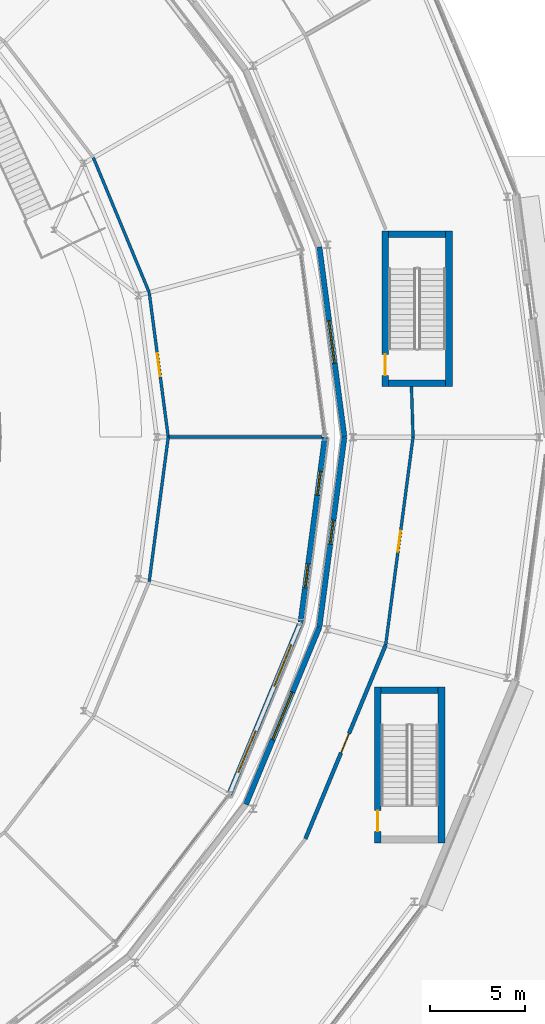
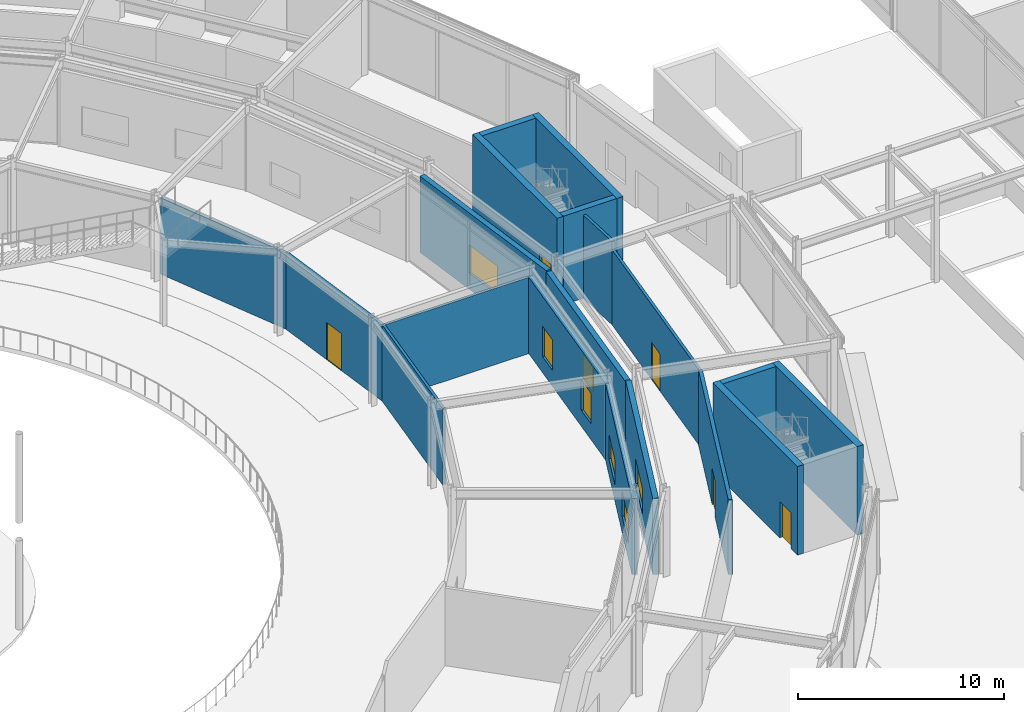
# One storey, part 121 of 168: 19 walls, 7 windows, 5 doors, 12 openings.
"""IFC4 building model written with IfcOpenShell, lengths in metres."""

from ifc_helpers import new_model, si_unit, direction, frame, frame_2d, origin, place, context, subcontext, project, spatial, rectangle, extrude, material, layer, layer_set, type_object, element, fill, save


model = new_model("IFC4")

# Units and contexts
model_context = context("Model", 3, precision=1e-05, world=origin(), true_north=direction((0.0, 1.0)))
body_context = subcontext(model_context, "Body", "Model", "MODEL_VIEW")
ifc_project = project(units=[si_unit("LENGTHUNIT", "METRE"), si_unit("AREAUNIT", "SQUARE_METRE"), si_unit("VOLUMEUNIT", "CUBIC_METRE"), si_unit("PLANEANGLEUNIT", "RADIAN"), si_unit("MASSUNIT", "GRAM", prefix="KILO")], contexts=[model_context])

# Site, building, storey
site_placement = place(None, origin())
site = spatial("IfcSite", under=ifc_project, at=site_placement, CompositionType="ELEMENT")
building_placement = place(site_placement, origin())
building = spatial("IfcBuilding", under=site, at=building_placement, Name="Almandine Court Research Institute", CompositionType="ELEMENT")
storey_placement = place(building_placement, origin())
storey = spatial("IfcBuildingStorey", under=building, at=storey_placement, Name="L00", CompositionType="ELEMENT", Elevation=0.0)

# Wall, opening, window
ifc_material_1 = material(Name="Insulated Ochre Terracotta Rainscreen Wall", Category="masonry")
ifc_layer_1 = layer(ifc_material_1, 0.2900390625)
ifc_layer_set_1 = layer_set([ifc_layer_1], Name="Insulated Ochre Terracotta Rainscreen Wall")
wall_type_1 = type_object("IfcWallType", Name="Wall-EXT-TERR-290", PredefinedType="SOLIDWALL", material=ifc_layer_set_1)
wall_1_placement = place(storey_placement, frame((120.48291015625, 36.675048828125, 0.0), z_axis=(0.0, 0.0, 1.0), x_axis=(0.382733240508, 0.92385889973, 0.0)))
wall_1 = element("IfcWall", 1, at=wall_1_placement, inside=storey, type_object=wall_type_1, Name="L00 Drum Inner Gallery Wall 22", PredefinedType="SOLIDWALL", context=body_context, shape_type="SweptSolid", body=[
    extrude(rectangle(XDim=10.08056640625, YDim=0.2900390625, at=frame_2d((5.040283203125, 0.0))), origin(), (0.0, 0.0, 1.0), 4.51611328125),
])
opening_1_placement = place(wall_1_placement, frame((3.68994140625, 0.0, 0.949951171875)))
opening_1 = element("IfcOpeningElement", 2, at=opening_1_placement, cuts=wall_1, Name="Opening WN-95", PredefinedType="OPENING", context=body_context, shape_type="SweptSolid", body=[
    extrude(rectangle(XDim=2.699951171875, YDim=1.510009765625, at=frame_2d((1.35009765625, 0.7548828125))), frame((0.0, 0.155029296875, 0.0), z_axis=(0.0, -1.0, 0.0), x_axis=(1.0, 0.0, 0.0)), (0.0, 0.0, 1.0), 0.31005859375),
])
ifc_material_2 = material(Name="Thermally Broken Low-E Double-Glazed Window", Category="glass")
window_type_1 = type_object("IfcWindowType", Name="Win-WN-95-2700x1510", PartitioningType="SINGLE_PANEL", PredefinedType="WINDOW", material=ifc_material_2)
window_1_placement = place(opening_1_placement, origin())
window_1 = element("IfcWindow", 3, at=window_1_placement, inside=storey, type_object=window_type_1, Name="L00 Modular Recessed Low-E Window 207", OverallHeight=1.510009765625, OverallWidth=2.699951171875, PartitioningType="SINGLE_PANEL", PredefinedType="WINDOW", context=body_context, shape_type="SweptSolid", body=[
    extrude(rectangle(XDim=2.699951171875, YDim=1.510009765625, at=frame_2d((1.35009765625, 0.7548828125))), frame((0.0, 0.030029296875, 0.0), z_axis=(0.0, -1.0, 0.0), x_axis=(1.0, 0.0, 0.0)), (0.0, 0.0, 1.0), 0.06005859375),
])
fill(opening_1, window_1)

wall_2_placement = place(storey_placement, frame((124.343994140625, 46.0, 0.0), z_axis=(0.0, 0.0, 1.0), x_axis=(0.130450126879, 0.991454872597, 0.0)))
wall_2 = element("IfcWall", 4, at=wall_2_placement, inside=storey, type_object=wall_type_1, Name="L00 Drum Inner Gallery Wall 23", PredefinedType="SOLIDWALL", context=body_context, shape_type="SweptSolid", body=[
    extrude(rectangle(XDim=10.080078125, YDim=0.2900390625, at=frame_2d((5.0400390625, 0.0))), origin(), (0.0, 0.0, 1.0), 4.43310546875),
])
opening_2_placement = place(wall_2_placement, frame((4.405029296875, 0.0, 0.949951171875)))
opening_2 = element("IfcOpeningElement", 5, at=opening_2_placement, cuts=wall_2, Name="Opening WN-96", PredefinedType="OPENING", context=body_context, shape_type="SweptSolid", body=[
    extrude(rectangle(XDim=1.27001953125, YDim=1.429931640625, at=frame_2d((0.635009765625, 0.71484375))), frame((0.0, 0.155029296875, 0.0), z_axis=(0.0, -1.0, 0.0), x_axis=(1.0, 0.0, 0.0)), (0.0, 0.0, 1.0), 0.31005859375),
])
window_type_2 = type_object("IfcWindowType", Name="Win-WN-96-1270x1430", PartitioningType="SINGLE_PANEL", PredefinedType="WINDOW", material=ifc_material_2)
window_2_placement = place(opening_2_placement, origin())
window_2 = element("IfcWindow", 6, at=window_2_placement, inside=storey, type_object=window_type_2, Name="L00 Modular Recessed Low-E Window 208", OverallHeight=1.429931640625, OverallWidth=1.27001953125, PartitioningType="SINGLE_PANEL", PredefinedType="WINDOW", context=body_context, shape_type="SweptSolid", body=[
    extrude(rectangle(XDim=1.27001953125, YDim=1.429931640625, at=frame_2d((0.635009765625, 0.71484375))), frame((0.0, 0.030029296875, 0.0), z_axis=(0.0, -1.0, 0.0), x_axis=(1.0, 0.0, 0.0)), (0.0, 0.0, 1.0), 0.06005859375),
])
fill(opening_2, window_2)

wall_3_placement = place(storey_placement, frame((125.658935546875, 56.006103515625, 0.0), z_axis=(0.0, 0.0, 1.0), x_axis=(-0.130450126879, 0.991454872597, 0.0)))
wall_3 = element("IfcWall", 7, at=wall_3_placement, inside=storey, type_object=wall_type_1, Name="L00 Drum Inner Gallery Wall 00", PredefinedType="SOLIDWALL", context=body_context, shape_type="SweptSolid", body=[
    extrude(rectangle(XDim=10.080078125, YDim=0.2900390625, at=frame_2d((5.0400390625, 0.0))), origin(), (0.0, 0.0, 1.0), 4.511962890625),
])
opening_3_placement = place(wall_3_placement, frame((3.909912109375, 0.0, 0.949951171875)))
opening_3 = element("IfcOpeningElement", 8, at=opening_3_placement, cuts=wall_3, Name="Opening WN-98", PredefinedType="OPENING", context=body_context, shape_type="SweptSolid", body=[
    extrude(rectangle(XDim=2.260009765625, YDim=1.669921875, at=frame_2d((1.1298828125, 0.8349609375))), frame((0.0, 0.155029296875, 0.0), z_axis=(0.0, -1.0, 0.0), x_axis=(1.0, 0.0, 0.0)), (0.0, 0.0, 1.0), 0.31005859375),
])
window_type_3 = type_object("IfcWindowType", Name="Win-WN-98-2260x1670", PartitioningType="SINGLE_PANEL", PredefinedType="WINDOW", material=ifc_material_2)
window_3_placement = place(opening_3_placement, origin())
window_3 = element("IfcWindow", 9, at=window_3_placement, inside=storey, type_object=window_type_3, Name="L00 Modular Recessed Low-E Window 211", OverallHeight=1.669921875, OverallWidth=2.260009765625, PartitioningType="SINGLE_PANEL", PredefinedType="WINDOW", context=body_context, shape_type="SweptSolid", body=[
    extrude(rectangle(XDim=2.260009765625, YDim=1.669921875, at=frame_2d((1.1298828125, 0.8349609375))), frame((0.0, 0.030029296875, 0.0), z_axis=(0.0, -1.0, 0.0), x_axis=(1.0, 0.0, 0.0)), (0.0, 0.0, 1.0), 0.06005859375),
])
fill(opening_3, window_3)

# Wall, openings, windows
wall_4_placement = place(storey_placement, frame((123.365966796875, 46.251953125, 0.0), z_axis=(0.0, 0.0, 1.0), x_axis=(-0.382759423628, -0.923848052238, 0.0)))
wall_4 = element("IfcWall", 10, at=wall_4_placement, inside=storey, type_object=wall_type_1, Name="L00 Interaction Atrium Perimeter Wall 22", PredefinedType="SOLIDWALL", context=body_context, shape_type="SweptSolid", body=[
    extrude(rectangle(XDim=9.82080078125, YDim=0.2900390625, at=frame_2d((4.910400390625, 0.0))), origin(), (0.0, 0.0, 1.0), 4.511962890625),
])
opening_4_placement = place(wall_4_placement, frame((1.27001953125, 0.0, 0.949951171875)))
opening_4 = element("IfcOpeningElement", 11, at=opening_4_placement, cuts=wall_4, Name="Opening WN-61", PredefinedType="OPENING", context=body_context, shape_type="SweptSolid", body=[
    extrude(rectangle(XDim=2.3701171875, YDim=1.47998046875, at=frame_2d((1.18505859375, 0.739990234375))), frame((0.0, 0.155029296875, 0.0), z_axis=(0.0, -1.0, 0.0), x_axis=(1.0, 0.0, 0.0)), (0.0, 0.0, 1.0), 0.31005859375),
])
opening_5_placement = place(wall_4_placement, frame((6.180908203125, 0.0, 0.949951171875)))
opening_5 = element("IfcOpeningElement", 12, at=opening_5_placement, cuts=wall_4, Name="Opening WN-61", PredefinedType="OPENING", context=body_context, shape_type="SweptSolid", body=[
    extrude(rectangle(XDim=2.3701171875, YDim=1.47998046875, at=frame_2d((1.18505859375, 0.739990234375))), frame((0.0, 0.155029296875, 0.0), z_axis=(0.0, -1.0, 0.0), x_axis=(1.0, 0.0, 0.0)), (0.0, 0.0, 1.0), 0.31005859375),
])
window_type_4 = type_object("IfcWindowType", Name="Win-WN-61-2370x1480", PartitioningType="SINGLE_PANEL", PredefinedType="WINDOW", material=ifc_material_2)
window_4_placement = place(opening_4_placement, origin())
window_4 = element("IfcWindow", 13, at=window_4_placement, inside=storey, type_object=window_type_4, Name="L00 Modular Recessed Low-E Window 334", OverallHeight=1.47998046875, OverallWidth=2.3701171875, PartitioningType="SINGLE_PANEL", PredefinedType="WINDOW", context=body_context, shape_type="SweptSolid", body=[
    extrude(rectangle(XDim=2.3701171875, YDim=1.47998046875, at=frame_2d((1.18505859375, 0.739990234375))), frame((0.0, 0.030029296875, 0.0), z_axis=(0.0, -1.0, 0.0), x_axis=(1.0, 0.0, 0.0)), (0.0, 0.0, 1.0), 0.06005859375),
])
fill(opening_4, window_4)
window_5_placement = place(opening_5_placement, origin())
window_5 = element("IfcWindow", 14, at=window_5_placement, inside=storey, type_object=window_type_4, Name="L00 Modular Recessed Low-E Window 335", OverallHeight=1.47998046875, OverallWidth=2.3701171875, PartitioningType="SINGLE_PANEL", PredefinedType="WINDOW", context=body_context, shape_type="SweptSolid", body=[
    extrude(rectangle(XDim=2.3701171875, YDim=1.47998046875, at=frame_2d((1.18505859375, 0.739990234375))), frame((0.0, 0.030029296875, 0.0), z_axis=(0.0, -1.0, 0.0), x_axis=(1.0, 0.0, 0.0)), (0.0, 0.0, 1.0), 0.06005859375),
])
fill(opening_5, window_5)

wall_5_placement = place(storey_placement, frame((124.64892578125, 55.99609375, 0.0), z_axis=(0.0, 0.0, 1.0), x_axis=(-0.130435863969, -0.991456749128, 0.0)))
wall_5 = element("IfcWall", 15, at=wall_5_placement, inside=storey, type_object=wall_type_1, Name="L00 Interaction Atrium Perimeter Wall 23", PredefinedType="SOLIDWALL", context=body_context, shape_type="SweptSolid", body=[
    extrude(rectangle(XDim=9.821044921875, YDim=0.2900390625, at=frame_2d((4.91064453125, 0.0))), origin(), (0.0, 0.0, 1.0), 4.511962890625),
])
opening_6_placement = place(wall_5_placement, frame((1.820068359375, 0.0, 0.949951171875)))
opening_6 = element("IfcOpeningElement", 16, at=opening_6_placement, cuts=wall_5, Name="Opening WN-20", PredefinedType="OPENING", context=body_context, shape_type="SweptSolid", body=[
    extrude(rectangle(XDim=1.27001953125, YDim=1.800048828125, at=frame_2d((0.635009765625, 0.89990234375))), frame((0.0, 0.155029296875, 0.0), z_axis=(0.0, -1.0, 0.0), x_axis=(1.0, 0.0, 0.0)), (0.0, 0.0, 1.0), 0.31005859375),
])
opening_7_placement = place(wall_5_placement, frame((6.73095703125, 0.0, 0.949951171875)))
opening_7 = element("IfcOpeningElement", 17, at=opening_7_placement, cuts=wall_5, Name="Opening WN-20", PredefinedType="OPENING", context=body_context, shape_type="SweptSolid", body=[
    extrude(rectangle(XDim=1.27001953125, YDim=1.800048828125, at=frame_2d((0.635009765625, 0.89990234375))), frame((0.0, 0.155029296875, 0.0), z_axis=(0.0, -1.0, 0.0), x_axis=(1.0, 0.0, 0.0)), (0.0, 0.0, 1.0), 0.31005859375),
])
window_type_5 = type_object("IfcWindowType", Name="Win-WN-20-1270x1800", PartitioningType="SINGLE_PANEL", PredefinedType="WINDOW", material=ifc_material_2)
window_6_placement = place(opening_6_placement, origin())
window_6 = element("IfcWindow", 18, at=window_6_placement, inside=storey, type_object=window_type_5, Name="L00 Modular Recessed Low-E Window 336", OverallHeight=1.800048828125, OverallWidth=1.27001953125, PartitioningType="SINGLE_PANEL", PredefinedType="WINDOW", context=body_context, shape_type="SweptSolid", body=[
    extrude(rectangle(XDim=1.27001953125, YDim=1.800048828125, at=frame_2d((0.635009765625, 0.89990234375))), frame((0.0, 0.030029296875, 0.0), z_axis=(0.0, -1.0, 0.0), x_axis=(1.0, 0.0, 0.0)), (0.0, 0.0, 1.0), 0.06005859375),
])
fill(opening_6, window_6)
window_7_placement = place(opening_7_placement, origin())
window_7 = element("IfcWindow", 19, at=window_7_placement, inside=storey, type_object=window_type_5, Name="L00 Modular Recessed Low-E Window 337", OverallHeight=1.800048828125, OverallWidth=1.27001953125, PartitioningType="SINGLE_PANEL", PredefinedType="WINDOW", context=body_context, shape_type="SweptSolid", body=[
    extrude(rectangle(XDim=1.27001953125, YDim=1.800048828125, at=frame_2d((0.635009765625, 0.89990234375))), frame((0.0, 0.030029296875, 0.0), z_axis=(0.0, -1.0, 0.0), x_axis=(1.0, 0.0, 0.0)), (0.0, 0.0, 1.0), 0.06005859375),
])
fill(opening_7, window_7)

# Wall, opening, door
ifc_material_3 = material(Name="Two-Hour Fire-Barrier Enclosure Wall")
ifc_layer_2 = layer(ifc_material_3, 0.199951171875)
ifc_layer_set_2 = layer_set([ifc_layer_2], Name="Two-Hour Fire-Barrier Enclosure Wall")
wall_type_2 = type_object("IfcWallType", Name="Wall-FIRE-200", PredefinedType="SOLIDWALL", material=ifc_layer_set_2)
wall_6_placement = place(storey_placement, frame((123.615966796875, 34.860107421875, 0.0), z_axis=(0.0, 0.0, 1.0), x_axis=(0.382644845446, 0.923895514793, 0.0)))
wall_6 = element("IfcWall", 20, at=wall_6_placement, inside=storey, type_object=wall_type_2, Name="L00 Interior Partition W-V5-L00-CHD-22", PredefinedType="SOLIDWALL", context=body_context, shape_type="SweptSolid", body=[
    extrude(rectangle(XDim=11.03662109375, YDim=0.199951171875, at=frame_2d((5.518310546875, 0.0))), origin(), (0.0, 0.0, 1.0), 4.43798828125),
])
opening_8_placement = place(wall_6_placement, frame((4.89990234375, 0.0, 0.0)))
opening_8 = element("IfcOpeningElement", 21, at=opening_8_placement, cuts=wall_6, Name="Opening FD-FFL", PredefinedType="OPENING", context=body_context, shape_type="SweptSolid", body=[
    extrude(rectangle(XDim=1.10009765625, YDim=2.14990234375, at=frame_2d((0.550048828125, 1.074951171875))), frame((0.0, 0.10986328125, 0.0), z_axis=(0.0, -1.0, 0.0), x_axis=(1.0, 0.0, 0.0)), (0.0, 0.0, 1.0), 0.219970703125),
])
ifc_material_4 = material(Name="Smoke-Tight Firefighting Lobby Fire Door")
door_type_1 = type_object("IfcDoorType", Name="Door-FD-FFL-1100", OperationType="NOTDEFINED", PredefinedType="DOOR", material=ifc_material_4)
door_1_placement = place(opening_8_placement, origin())
door_1 = element("IfcDoor", 22, at=door_1_placement, inside=storey, type_object=door_type_1, Name="L00 ST-16 Protected Exit Lobby Fire Door", OperationType="SINGLE_SWING_RIGHT", OverallHeight=2.14990234375, OverallWidth=1.10009765625, PredefinedType="DOOR", context=body_context, shape_type="SweptSolid", body=[
    extrude(rectangle(XDim=1.10009765625, YDim=2.14990234375, at=frame_2d((0.550048828125, 1.074951171875))), frame((0.0, 0.02490234375, 0.0), z_axis=(0.0, -1.0, 0.0), x_axis=(1.0, 0.0, 0.0)), (0.0, 0.0, 1.0), 0.050048828125),
])
fill(opening_8, door_1)

ifc_material_5 = material(Name="Acoustic Steel-Stud Gypsum Partition Wall", Category="steel")
ifc_layer_3 = layer(ifc_material_5, 0.14990234375)
ifc_layer_set_3 = layer_set([ifc_layer_3], Name="Acoustic Steel-Stud Gypsum Partition Wall")
wall_type_3 = type_object("IfcWallType", Name="Wall-PART-150", PredefinedType="PARTITIONING", material=ifc_layer_set_3)
wall_7_placement = place(storey_placement, frame((127.839111328125, 45.056884765625, 0.0), z_axis=(0.0, 0.0, 1.0), x_axis=(0.130546632054, 0.991442170204, 0.0)))
wall_7 = element("IfcWall", 23, at=wall_7_placement, inside=storey, type_object=wall_type_3, Name="L00 Interior Partition W-V5-L00-CHD-23", PredefinedType="PARTITIONING", context=body_context, shape_type="SweptSolid", body=[
    extrude(rectangle(XDim=11.03759765625, YDim=0.14990234375, at=frame_2d((5.518798828125, 0.0))), origin(), (0.0, 0.0, 1.0), 4.43798828125),
])
opening_9_placement = place(wall_7_placement, frame((4.949951171875, 0.0, 0.0)))
opening_9 = element("IfcOpeningElement", 24, at=opening_9_placement, cuts=wall_7, Name="Opening D-03", PredefinedType="OPENING", context=body_context, shape_type="SweptSolid", body=[
    extrude(rectangle(XDim=1.10009765625, YDim=2.199951171875, at=frame_2d((0.550048828125, 1.10009765625))), frame((0.0, 0.0849609375, 0.0), z_axis=(0.0, -1.0, 0.0), x_axis=(1.0, 0.0, 0.0)), (0.0, 0.0, 1.0), 0.169921875),
])
ifc_material_6 = material(Name="Acoustic Vision-Panel Seminar Door")
door_type_2 = type_object("IfcDoorType", Name="Door-INT-1100", OperationType="NOTDEFINED", PredefinedType="DOOR", material=ifc_material_6)
door_2_placement = place(opening_9_placement, origin())
door_2 = element("IfcDoor", 25, at=door_2_placement, inside=storey, type_object=door_type_2, Name="L00 Drum Calibration Suite Door", OperationType="SINGLE_SWING_LEFT", OverallHeight=2.199951171875, OverallWidth=1.10009765625, PredefinedType="DOOR", context=body_context, shape_type="SweptSolid", body=[
    extrude(rectangle(XDim=1.10009765625, YDim=2.199951171875, at=frame_2d((0.550048828125, 1.10009765625))), frame((0.0, 0.02490234375, 0.0), z_axis=(0.0, -1.0, 0.0), x_axis=(1.0, 0.0, 0.0)), (0.0, 0.0, 1.0), 0.050048828125),
])
fill(opening_9, door_2)

# Wall
wall_8_placement = place(storey_placement, frame((129.280029296875, 56.0, 0.0), z_axis=(0.0, 0.0, 1.0), x_axis=(-0.031249099163, 0.999511627647, 0.0)))
element("IfcWall", 26, at=wall_8_placement, inside=storey, type_object=wall_type_3, Name="L00 Interior Partition W-V5-L00-CHD-00", PredefinedType="PARTITIONING", context=body_context, shape_type="SweptSolid", body=[
    extrude(rectangle(XDim=2.65625, YDim=0.14990234375, at=frame_2d((1.328125, 0.0))), origin(), (0.0, 0.0, 1.0), 4.929931640625),
])

# Wall, opening, door
wall_9_placement = place(storey_placement, frame((116.39990234375, 56.0, 0.0), z_axis=(0.0, 0.0, 1.0), x_axis=(-0.130554905837, 0.991441080731, 0.0)))
wall_9 = element("IfcWall", 27, at=wall_9_placement, inside=storey, type_object=wall_type_3, Name="L00 Interior Partition W-V2-L00-CHD-00", PredefinedType="PARTITIONING", context=body_context, shape_type="SweptSolid", body=[
    extrude(rectangle(XDim=7.674560546875, YDim=0.14990234375, at=frame_2d((3.83740234375, 0.0))), origin(), (0.0, 0.0, 1.0), 4.51708984375),
])
opening_10_placement = place(wall_9_placement, frame((3.237060546875, 0.0, 0.0)))
opening_10 = element("IfcOpeningElement", 28, at=opening_10_placement, cuts=wall_9, Name="Opening D-04", PredefinedType="OPENING", context=body_context, shape_type="SweptSolid", body=[
    extrude(rectangle(XDim=1.199951171875, YDim=2.199951171875, at=frame_2d((0.60009765625, 1.10009765625))), frame((0.0, 0.0849609375, 0.0), z_axis=(0.0, -1.0, 0.0), x_axis=(1.0, 0.0, 0.0)), (0.0, 0.0, 1.0), 0.169921875),
])
ifc_material_7 = material(Name="Wide Acoustic Laboratory Suite Door")
door_type_3 = type_object("IfcDoorType", Name="Door-INT-1200", OperationType="NOTDEFINED", PredefinedType="DOOR", material=ifc_material_7)
door_3_placement = place(opening_10_placement, origin())
door_3 = element("IfcDoor", 29, at=door_3_placement, inside=storey, type_object=door_type_3, Name="L00 Atrium Interaction Atrium Hall Door", OperationType="SINGLE_SWING_LEFT", OverallHeight=2.199951171875, OverallWidth=1.199951171875, PredefinedType="DOOR", context=body_context, shape_type="SweptSolid", body=[
    extrude(rectangle(XDim=1.199951171875, YDim=2.199951171875, at=frame_2d((0.60009765625, 1.10009765625))), frame((0.0, 0.02490234375, 0.0), z_axis=(0.0, -1.0, 0.0), x_axis=(1.0, 0.0, 0.0)), (0.0, 0.0, 1.0), 0.050048828125),
])
fill(opening_10, door_3)

# Walls
wall_10_placement = place(storey_placement, frame((115.39794921875, 63.60888671875, 0.0), z_axis=(0.0, 0.0, 1.0), x_axis=(-0.382660818016, 0.923888899357, 0.0)))
element("IfcWall", 30, at=wall_10_placement, inside=storey, type_object=wall_type_3, Name="L00 Interior Partition W-V2-L00-CHD-01", PredefinedType="PARTITIONING", context=body_context, shape_type="SweptSolid", body=[
    extrude(rectangle(XDim=7.67529296875, YDim=0.14990234375, at=frame_2d((3.837646484375, 0.0))), origin(), (0.0, 0.0, 1.0), 4.51708984375),
])
wall_11_placement = place(storey_placement, frame((115.39794921875, 48.39111328125, 0.0), z_axis=(0.0, 0.0, 1.0), x_axis=(0.130554905837, 0.991441080731, 0.0)))
element("IfcWall", 31, at=wall_11_placement, inside=storey, type_object=wall_type_3, Name="L00 Interior Partition W-V2-L00-CHD-23", PredefinedType="PARTITIONING", context=body_context, shape_type="SweptSolid", body=[
    extrude(rectangle(XDim=7.674560546875, YDim=0.14990234375, at=frame_2d((3.83740234375, 0.0))), origin(), (0.0, 0.0, 1.0), 4.51708984375),
])
wall_12_placement = place(storey_placement, frame((116.39990234375, 56.0, 0.0), z_axis=(0.0, 0.0, 1.0), x_axis=(1.0, 0.0, 0.0)))
element("IfcWall", 32, at=wall_12_placement, inside=storey, type_object=wall_type_3, Name="L00 Interior Partition W-V2-L00-RAD-00", PredefinedType="PARTITIONING", context=body_context, shape_type="SweptSolid", body=[
    extrude(rectangle(XDim=8.080078125, YDim=0.14990234375, at=frame_2d((4.0400390625, 0.0))), origin(), (0.0, 0.0, 1.0), 4.51708984375),
])

# Wall, opening, door
ifc_material_8 = material(Name="Concrete C40/50", Category="concrete")
ifc_layer_4 = layer(ifc_material_8, 0.35009765625)
ifc_layer_set_4 = layer_set([ifc_layer_4], Name="Concrete C40/50")
wall_type_4 = type_object("IfcWallType", Name="Wall-SW-CORE-350", PredefinedType="SHEAR", material=ifc_layer_set_4)
wall_13_placement = place(storey_placement, frame((127.824951171875, 58.64990234375, 0.0), z_axis=(0.0, 0.0, 1.0), x_axis=(0.0, 1.0, 0.0)))
wall_13 = element("IfcWall", 33, at=wall_13_placement, inside=storey, type_object=wall_type_4, Name="L00 ST-14 W Shear Wall", PredefinedType="SHEAR", context=body_context, shape_type="SweptSolid", body=[
    extrude(rectangle(XDim=8.2001953125, YDim=0.35009765625, at=frame_2d((4.10009765625, 0.0))), origin(), (0.0, 0.0, 1.0), 5.25),
])
opening_11_placement = place(wall_13_placement, frame((0.60009765625, 0.0, 0.0)))
opening_11 = element("IfcOpeningElement", 34, at=opening_11_placement, cuts=wall_13, Name="Opening FD-STAIR", PredefinedType="OPENING", context=body_context, shape_type="SweptSolid", body=[
    extrude(rectangle(XDim=1.10009765625, YDim=2.14990234375, at=frame_2d((0.550048828125, 1.074951171875))), frame((0.0, 0.18505859375, 0.0), z_axis=(0.0, -1.0, 0.0), x_axis=(1.0, 0.0, 0.0)), (0.0, 0.0, 1.0), 0.3701171875),
])
ifc_material_9 = material(Name="Self-Closing Steel Exit Stair Fire Door", Category="steel")
door_type_4 = type_object("IfcDoorType", Name="Door-FD-STAIR-1100", OperationType="NOTDEFINED", PredefinedType="DOOR", material=ifc_material_9)
door_4_placement = place(opening_11_placement, origin())
door_4 = element("IfcDoor", 35, at=door_4_placement, inside=storey, type_object=door_type_4, Name="L00 Exit Stair ST-14 Fire Door", OperationType="SINGLE_SWING_RIGHT", OverallHeight=2.14990234375, OverallWidth=1.10009765625, PredefinedType="DOOR", context=body_context, shape_type="SweptSolid", body=[
    extrude(rectangle(XDim=1.10009765625, YDim=2.14990234375, at=frame_2d((0.550048828125, 1.074951171875))), frame((0.0, 0.02490234375, 0.0), z_axis=(0.0, -1.0, 0.0), x_axis=(1.0, 0.0, 0.0)), (0.0, 0.0, 1.0), 0.050048828125),
])
fill(opening_11, door_4)

# Walls
wall_14_placement = place(storey_placement, frame((128.0, 66.675048828125, 0.0), z_axis=(0.0, 0.0, 1.0), x_axis=(1.0, 0.0, 0.0)))
element("IfcWall", 36, at=wall_14_placement, inside=storey, type_object=wall_type_4, Name="L00 ST-14 N Shear Wall", PredefinedType="SHEAR", context=body_context, shape_type="SweptSolid", body=[
    extrude(rectangle(XDim=3.0, YDim=0.35009765625, at=frame_2d((1.5, 0.0))), origin(), (0.0, 0.0, 1.0), 5.25),
])
wall_15_placement = place(storey_placement, frame((131.175048828125, 66.85009765625, 0.0), z_axis=(0.0, 0.0, 1.0), x_axis=(0.0, -1.0, 0.0)))
element("IfcWall", 37, at=wall_15_placement, inside=storey, type_object=wall_type_4, Name="L00 ST-14 E Shear Wall", PredefinedType="SHEAR", context=body_context, shape_type="SweptSolid", body=[
    extrude(rectangle(XDim=8.2001953125, YDim=0.35009765625, at=frame_2d((4.10009765625, 0.0))), origin(), (0.0, 0.0, 1.0), 5.25),
])
wall_16_placement = place(storey_placement, frame((131.0, 58.824951171875, 0.0), z_axis=(0.0, 0.0, 1.0), x_axis=(-1.0, 0.0, 0.0)))
element("IfcWall", 38, at=wall_16_placement, inside=storey, type_object=wall_type_4, Name="L00 ST-14 S Shear Wall", PredefinedType="SHEAR", context=body_context, shape_type="SweptSolid", body=[
    extrude(rectangle(XDim=3.0, YDim=0.35009765625, at=frame_2d((1.5, 0.0))), origin(), (0.0, 0.0, 1.0), 5.25),
])

# Wall, opening, door
wall_17_placement = place(storey_placement, frame((127.425048828125, 34.64990234375, 0.0), z_axis=(0.0, 0.0, 1.0), x_axis=(0.0, 1.0, 0.0)))
wall_17 = element("IfcWall", 39, at=wall_17_placement, inside=storey, type_object=wall_type_4, Name="L00 ST-16 W Shear Wall", PredefinedType="SHEAR", context=body_context, shape_type="SweptSolid", body=[
    extrude(rectangle(XDim=8.2001953125, YDim=0.35009765625, at=frame_2d((4.10009765625, 0.0))), origin(), (0.0, 0.0, 1.0), 5.25),
])
opening_12_placement = place(wall_17_placement, frame((0.60009765625, 0.0, 0.0)))
opening_12 = element("IfcOpeningElement", 40, at=opening_12_placement, cuts=wall_17, Name="Opening FD-STAIR", PredefinedType="OPENING", context=body_context, shape_type="SweptSolid", body=[
    extrude(rectangle(XDim=1.10009765625, YDim=2.14990234375, at=frame_2d((0.550048828125, 1.074951171875))), frame((0.0, 0.18505859375, 0.0), z_axis=(0.0, -1.0, 0.0), x_axis=(1.0, 0.0, 0.0)), (0.0, 0.0, 1.0), 0.3701171875),
])
door_5_placement = place(opening_12_placement, origin())
door_5 = element("IfcDoor", 41, at=door_5_placement, inside=storey, type_object=door_type_4, Name="L00 Exit Stair ST-16 Fire Door", OperationType="SINGLE_SWING_RIGHT", OverallHeight=2.14990234375, OverallWidth=1.10009765625, PredefinedType="DOOR", context=body_context, shape_type="SweptSolid", body=[
    extrude(rectangle(XDim=1.10009765625, YDim=2.14990234375, at=frame_2d((0.550048828125, 1.074951171875))), frame((0.0, 0.02490234375, 0.0), z_axis=(0.0, -1.0, 0.0), x_axis=(1.0, 0.0, 0.0)), (0.0, 0.0, 1.0), 0.050048828125),
])
fill(opening_12, door_5)

# Walls
wall_18_placement = place(storey_placement, frame((127.60009765625, 42.675048828125, 0.0), z_axis=(0.0, 0.0, 1.0), x_axis=(1.0, 0.0, 0.0)))
element("IfcWall", 42, at=wall_18_placement, inside=storey, type_object=wall_type_4, Name="L00 ST-16 N Shear Wall", PredefinedType="SHEAR", context=body_context, shape_type="SweptSolid", body=[
    extrude(rectangle(XDim=3.0, YDim=0.35009765625, at=frame_2d((1.5, 0.0))), origin(), (0.0, 0.0, 1.0), 5.25),
])
wall_19_placement = place(storey_placement, frame((130.77490234375, 42.85009765625, 0.0), z_axis=(0.0, 0.0, 1.0), x_axis=(0.0, -1.0, 0.0)))
element("IfcWall", 43, at=wall_19_placement, inside=storey, type_object=wall_type_4, Name="L00 ST-16 E Shear Wall", PredefinedType="SHEAR", context=body_context, shape_type="SweptSolid", body=[
    extrude(rectangle(XDim=8.2001953125, YDim=0.35009765625, at=frame_2d((4.10009765625, 0.0))), origin(), (0.0, 0.0, 1.0), 5.25),
])

save(model, "model.ifc")
